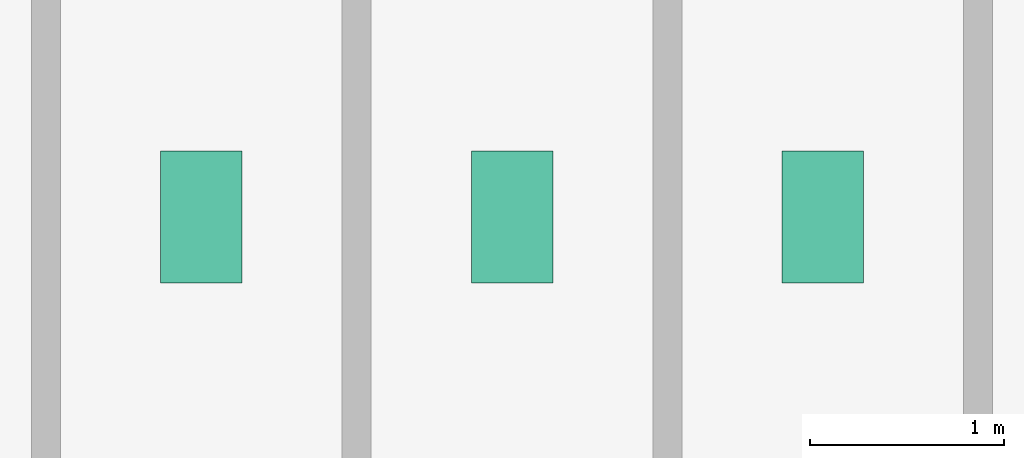
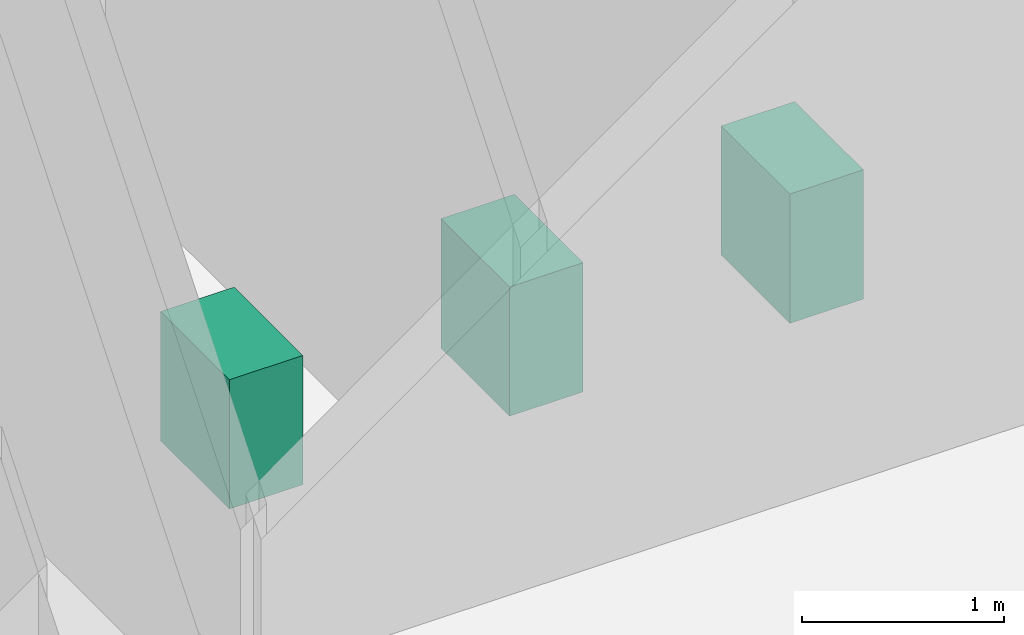
# One storey, part 22 of 22: 3 sanitary terminals.
"""IFC4 building model written with IfcOpenShell, lengths in metres."""

from ifc_helpers import new_model, si_unit, derived_unit, direction, frame, origin, origin_2d, place, context, subcontext, project, spatial, rectangle, extrude, source, transform, mapped, material, type_object, element, save


model = new_model("IFC4")

# Units and contexts
model_context = context("Model", 3, precision=1e-05, world=origin(), true_north=direction((0.0, 1.0)))
body_context = subcontext(model_context, "Body", "Model", "MODEL_VIEW")
ifc_project = project(units=[si_unit("LENGTHUNIT", "METRE"), si_unit("AREAUNIT", "SQUARE_METRE"), si_unit("VOLUMEUNIT", "CUBIC_METRE"), si_unit("PLANEANGLEUNIT", "RADIAN"), si_unit("MASSUNIT", "GRAM", prefix="KILO"), derived_unit("THERMALTRANSMITTANCEUNIT", [(si_unit("POWERUNIT", "WATT"), 1), (si_unit("LENGTHUNIT", "METRE"), -2), (si_unit("THERMODYNAMICTEMPERATUREUNIT", "KELVIN"), -1)])], contexts=[model_context])

# Site, building, storey
site_placement = place(None, origin())
site = spatial("IfcSite", under=ifc_project, at=site_placement, CompositionType="ELEMENT")
building_placement = place(site_placement, origin())
building = spatial("IfcBuilding", under=site, at=building_placement, Name="Skarnbrae Concourse Arena and Tower", CompositionType="ELEMENT")
storey_placement = place(building_placement, frame((0.0, 0.0, 195.89990234375)))
storey = spatial("IfcBuildingStorey", under=building, at=storey_placement, Name="L50", CompositionType="ELEMENT", Elevation=195.89990234375)

# Sanitary terminals
ifc_material = material(Name="Vitreous china sanitaryware", Category="other")
sanitary_terminal_type = type_object("IfcSanitaryTerminalType", Name="SAN-WC-VITREOUS", PredefinedType="TOILETPAN", material=ifc_material)
shared_shape = source(origin(), body_context, "Body", "SweptSolid", [
    extrude(rectangle(XDim=0.419921875, YDim=0.679931640625, at=origin_2d()), origin(), (0.0, 0.0, 1.0), 0.780029296875),
])
for number, where, z_axis, x_axis, name in (
    (1, (35.0, 11.39990234375, 0.0), (0.0, 0.0, 1.0), (1.0, 0.0, 0.0), "L50 Washroom WC fixture 1"),
    (2, (36.60009765625, 11.39990234375, 0.0), (0.0, 0.0, 1.0), (1.0, 0.0, 0.0), "L50 Washroom WC fixture 2"),
    (3, (38.199951171875, 11.39990234375, 0.0), (0.0, 0.0, 1.0), (1.0, 0.0, 0.0), "L50 Washroom WC fixture 3"),
):
    element("IfcSanitaryTerminal", number, at=place(storey_placement, frame(where, z_axis=z_axis, x_axis=x_axis)), inside=storey, type_object=sanitary_terminal_type, Name=name, PredefinedType="TOILETPAN", context=body_context, shape_type="MappedRepresentation", body=[
        mapped(shared_shape, transform((0.0, 0.0, 0.0))),
    ])

save(model, "model.ifc")
